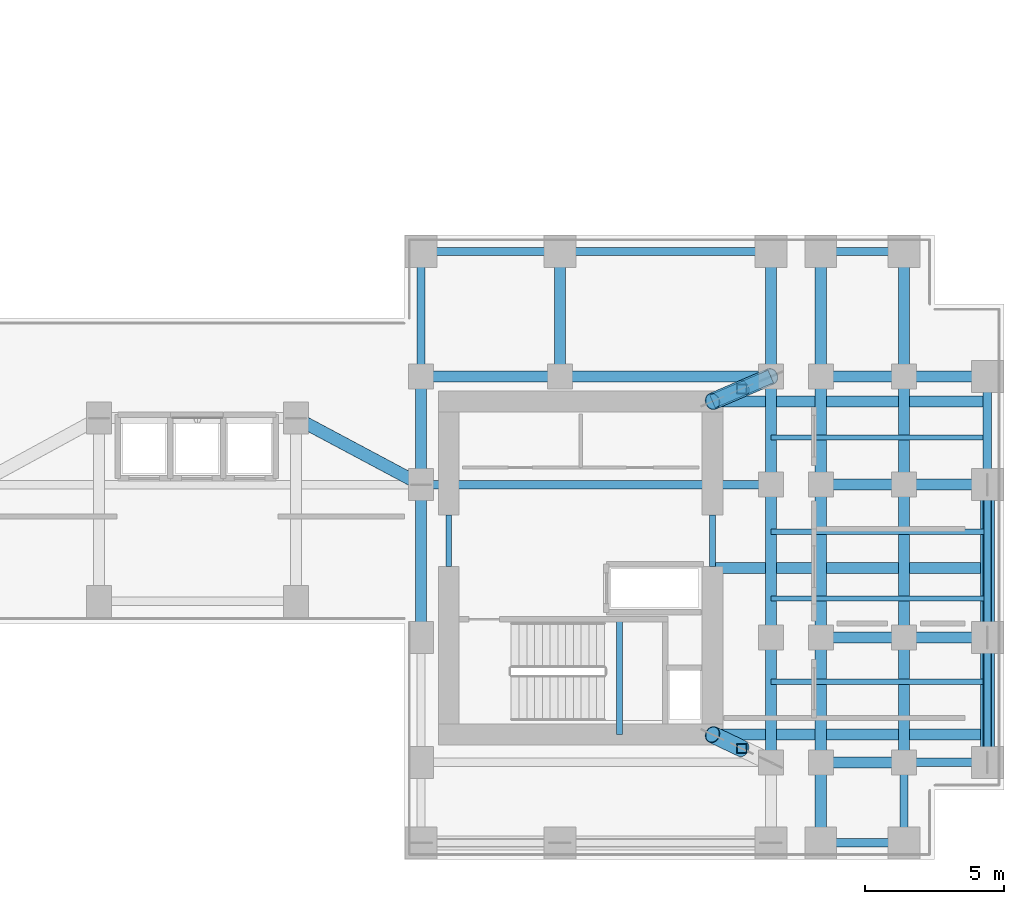
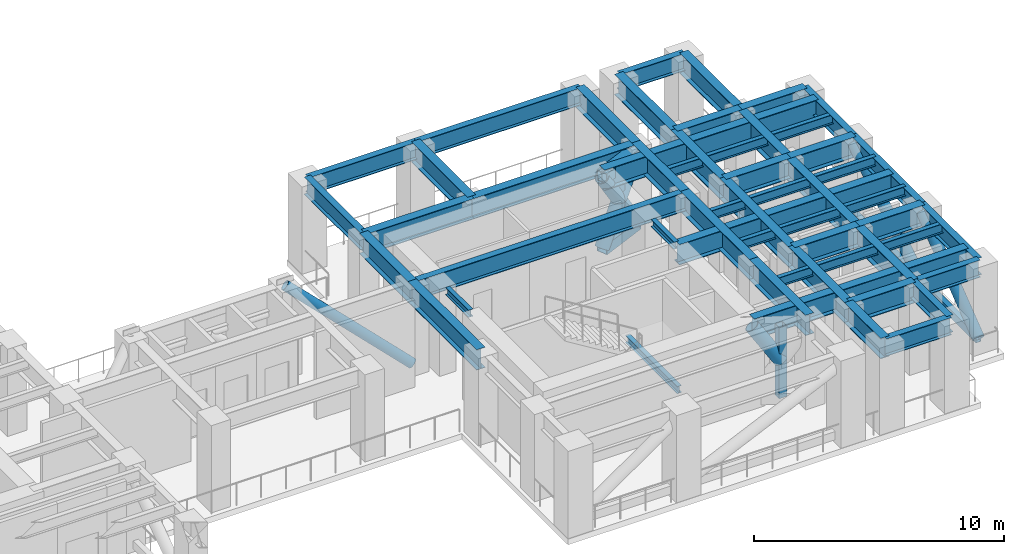
# One storey, part 6 of 16: 46 beams, 13 members.
"""IFC4 building model written with IfcOpenShell, lengths in metres."""

from ifc_helpers import new_model, si_unit, direction, frame, origin, origin_2d, place, context, subcontext, project, spatial, hollow_rectangle, hollow_circle, i_section, extrude, source, transform, mapped, material, material_profile, profile_set, type_object, element, save


model = new_model("IFC4")

# Units and contexts
model_context = context("Model", 3, precision=1e-05, world=origin(), true_north=direction((0.0, 1.0)))
body_context = subcontext(model_context, "Body", "Model", "MODEL_VIEW")
ifc_project = project(units=[si_unit("LENGTHUNIT", "METRE"), si_unit("AREAUNIT", "SQUARE_METRE"), si_unit("VOLUMEUNIT", "CUBIC_METRE"), si_unit("PLANEANGLEUNIT", "RADIAN"), si_unit("MASSUNIT", "GRAM", prefix="KILO")], contexts=[model_context])

# Site, building, storey
site_placement = place(None, origin())
site = spatial("IfcSite", under=ifc_project, at=site_placement, CompositionType="ELEMENT")
building_placement = place(site_placement, origin())
building = spatial("IfcBuilding", under=site, at=building_placement, Name="Kharzan Plaza Tower", CompositionType="ELEMENT")
storey_placement = place(building_placement, frame((0.0, 0.0, 138.60009765625)))
storey = spatial("IfcBuildingStorey", under=building, at=storey_placement, Name="L37", CompositionType="ELEMENT", Elevation=138.60009765625)

# Beams
ifc_material = material(Name="Steel S355", Category="steel")
ifc_material_profile_1 = material_profile(ifc_material, i_section(OverallWidth=0.205078125, OverallDepth=0.35400390625, WebThickness=0.009521484375, FlangeThickness=0.016845703125, at=origin_2d()), Name="W360x79")
ifc_profile_set_1 = profile_set([ifc_material_profile_1], Name="Steel S355")
beam_type_1 = type_object("IfcBeamType", Name="BM-LNT360", PredefinedType="LINTEL", material=ifc_profile_set_1)
shared_shape_1 = source(origin(), body_context, "Body", "SweptSolid", [
    extrude(i_section(OverallWidth=0.205078125, OverallDepth=0.35400390625, WebThickness=0.009521484375, FlangeThickness=0.016845703125, at=origin_2d()), origin(), (0.0, 0.0, 1.0), 1.849853515625),
])
for number, where, z_axis, x_axis, name in (
    (1, (45.5, 10.550048828125, 4.0830078125), (0.0, 1.0, 0.0), (-1.0, 0.0, 0.0), "L37 CORE-B coupling lintel LN1-WE"),
    (2, (36.0, 10.550048828125, 4.0830078125), (0.0, 1.0, 0.0), (-1.0, 0.0, 0.0), "L37 CORE-B coupling lintel LN1-WW"),
):
    element("IfcBeam", number, at=place(storey_placement, frame(where, z_axis=z_axis, x_axis=x_axis)), inside=storey, type_object=beam_type_1, Name=name, PredefinedType="LINTEL", context=body_context, shape_type="MappedRepresentation", body=[
        mapped(shared_shape_1, transform((0.0, 0.0, 0.0), x_axis=(1.0, 0.0, 0.0), y_axis=(0.0, 1.0, 0.0), z_axis=(0.0, 0.0, 1.0))),
    ])
shared_shape_2 = source(origin(), body_context, "Body", "SweptSolid", [
    extrude(i_section(OverallWidth=0.205078125, OverallDepth=0.35400390625, WebThickness=0.009521484375, FlangeThickness=0.016845703125, at=origin_2d()), origin(), (0.0, 0.0, 1.0), 4.155029296875),
])
beam_1_placement = place(storey_placement, frame((42.14990234375, 4.5, 1.872802734375), z_axis=(0.0, 1.0, 0.0), x_axis=(-1.0, 0.0, 0.0)))
element("IfcBeam", 3, at=beam_1_placement, inside=storey, type_object=beam_type_1, Name="L37 Stair ST-3 Half-Landing Beam", PredefinedType="LINTEL", context=body_context, shape_type="MappedRepresentation", body=[
    mapped(shared_shape_2, transform((0.0, 0.0, 0.0), x_axis=(1.0, 0.0, 0.0), y_axis=(0.0, 1.0, 0.0), z_axis=(0.0, 0.0, 1.0))),
])
ifc_material_profile_2 = material_profile(ifc_material, i_section(OverallWidth=0.304931640625, OverallDepth=0.9189453125, WebThickness=0.017333984375, FlangeThickness=0.02783203125, at=origin_2d()), Name="W920x253")
ifc_profile_set_2 = profile_set([ifc_material_profile_2], Name="Steel S355")
beam_type_2 = type_object("IfcBeamType", Name="BM-FG920B", PredefinedType="BEAM", material=ifc_profile_set_2)
shared_shape_3 = source(origin(), body_context, "Body", "SweptSolid", [
    extrude(i_section(OverallWidth=0.304931640625, OverallDepth=0.9189453125, WebThickness=0.017333984375, FlangeThickness=0.02783203125, at=origin_2d()), origin(), (0.0, 0.0, 1.0), 12.60009765625),
])
beam_2_placement = place(storey_placement, frame((35.0, 13.5, 3.80029296875), z_axis=(1.0, 0.0, 0.0), x_axis=(0.0, 1.0, 0.0)))
element("IfcBeam", 4, at=beam_2_placement, inside=storey, type_object=beam_type_2, Name="L37 Primary Floor Girder", PredefinedType="BEAM", context=body_context, shape_type="MappedRepresentation", body=[
    mapped(shared_shape_3, transform((0.0, 0.0, 0.0), x_axis=(1.0, 0.0, 0.0), y_axis=(0.0, 1.0, 0.0), z_axis=(0.0, 0.0, 1.0))),
])
ifc_material_profile_3 = material_profile(ifc_material, i_section(OverallWidth=0.39794921875, OverallDepth=1.0, WebThickness=0.017578125, FlangeThickness=0.02880859375, at=origin_2d()), Name="W1000x321")
ifc_profile_set_3 = profile_set([ifc_material_profile_3], Name="Steel S355")
beam_type_3 = type_object("IfcBeamType", Name="BM-PG1000B", PredefinedType="BEAM", material=ifc_profile_set_3)
shared_shape_4 = source(origin(), body_context, "Body", "SweptSolid", [
    extrude(i_section(OverallWidth=0.39794921875, OverallDepth=1.0, WebThickness=0.017578125, FlangeThickness=0.02880859375, at=origin_2d()), origin(), (0.0, 0.0, 1.0), 4.5),
])
for number, where, z_axis, x_axis, name in (
    (5, (40.0, 17.39990234375, 3.760009765625), (0.0, 1.0, 0.0), (-1.0, 0.0, 0.0), "L37 Interior Frame Girder"),
    (6, (47.60009765625, 3.5, 3.760009765625), (0.0, 1.0, 0.0), (-1.0, 0.0, 0.0), "L37 Interior Frame Girder"),
    (7, (47.60009765625, 17.39990234375, 3.760009765625), (0.0, 1.0, 0.0), (-1.0, 0.0, 0.0), "L37 Interior Frame Girder"),
    (8, (49.39990234375, 3.5, 3.760009765625), (0.0, 1.0, 0.0), (-1.0, 0.0, 0.0), "L37 Interior Frame Girder"),
    (9, (49.39990234375, 17.39990234375, 3.760009765625), (0.0, 1.0, 0.0), (-1.0, 0.0, 0.0), "L37 Interior Frame Girder"),
    (10, (52.39990234375, 3.5, 3.760009765625), (0.0, 1.0, 0.0), (-1.0, 0.0, 0.0), "L37 Interior Frame Girder"),
    (11, (52.39990234375, 17.39990234375, 3.760009765625), (0.0, 1.0, 0.0), (-1.0, 0.0, 0.0), "L37 Interior Frame Girder"),
):
    element("IfcBeam", number, at=place(storey_placement, frame(where, z_axis=z_axis, x_axis=x_axis)), inside=storey, type_object=beam_type_3, Name=name, PredefinedType="BEAM", context=body_context, shape_type="MappedRepresentation", body=[
        mapped(shared_shape_4, transform((0.0, 0.0, 0.0), x_axis=(1.0, 0.0, 0.0), y_axis=(0.0, 1.0, 0.0), z_axis=(0.0, 0.0, 1.0))),
    ])
shared_shape_5 = source(origin(), body_context, "Body", "SweptSolid", [
    extrude(i_section(OverallWidth=0.39794921875, OverallDepth=1.0, WebThickness=0.017578125, FlangeThickness=0.02880859375, at=origin_2d()), origin(), (0.0, 0.0, 1.0), 3.89990234375),
])
for number, where, z_axis, x_axis, name in (
    (12, (35.0, 13.5, 3.760009765625), (0.0, 1.0, 0.0), (-1.0, 0.0, 0.0), "L37 Interior Frame Girder"),
    (13, (47.60009765625, 13.5, 3.760009765625), (0.0, 1.0, 0.0), (-1.0, 0.0, 0.0), "L37 Interior Frame Girder"),
    (14, (49.39990234375, 13.5, 3.760009765625), (0.0, 1.0, 0.0), (-1.0, 0.0, 0.0), "L37 Interior Frame Girder"),
    (15, (52.39990234375, 13.5, 3.760009765625), (0.0, 1.0, 0.0), (-1.0, 0.0, 0.0), "L37 Interior Frame Girder"),
):
    element("IfcBeam", number, at=place(storey_placement, frame(where, z_axis=z_axis, x_axis=x_axis)), inside=storey, type_object=beam_type_3, Name=name, PredefinedType="BEAM", context=body_context, shape_type="MappedRepresentation", body=[
        mapped(shared_shape_5, transform((0.0, 0.0, 0.0), x_axis=(1.0, 0.0, 0.0), y_axis=(0.0, 1.0, 0.0), z_axis=(0.0, 0.0, 1.0))),
    ])
shared_shape_6 = source(origin(), body_context, "Body", "SweptSolid", [
    extrude(i_section(OverallWidth=0.39794921875, OverallDepth=1.0, WebThickness=0.017578125, FlangeThickness=0.02880859375, at=origin_2d()), origin(), (0.0, 0.0, 1.0), 5.0),
])
beam_3_placement = place(storey_placement, frame((35.0, 17.39990234375, 3.760009765625), z_axis=(1.0, 0.0, 0.0), x_axis=(0.0, 1.0, 0.0)))
element("IfcBeam", 16, at=beam_3_placement, inside=storey, type_object=beam_type_3, Name="L37 Primary Floor Girder", PredefinedType="BEAM", context=body_context, shape_type="MappedRepresentation", body=[
    mapped(shared_shape_6, transform((0.0, 0.0, 0.0), x_axis=(1.0, 0.0, 0.0), y_axis=(0.0, 1.0, 0.0), z_axis=(0.0, 0.0, 1.0))),
])
shared_shape_7 = source(origin(), body_context, "Body", "SweptSolid", [
    extrude(i_section(OverallWidth=0.39794921875, OverallDepth=1.0, WebThickness=0.017578125, FlangeThickness=0.02880859375, at=origin_2d()), origin(), (0.0, 0.0, 1.0), 5.5),
])
for number, where, z_axis, x_axis, name in (
    (17, (35.0, 8.0, 3.760009765625), (0.0, 1.0, 0.0), (-1.0, 0.0, 0.0), "L37 Interior Frame Girder"),
    (18, (47.60009765625, 8.0, 3.760009765625), (0.0, 1.0, 0.0), (-1.0, 0.0, 0.0), "L37 Interior Frame Girder"),
    (19, (49.39990234375, 8.0, 3.760009765625), (0.0, 1.0, 0.0), (-1.0, 0.0, 0.0), "L37 Interior Frame Girder"),
    (20, (52.39990234375, 8.0, 3.760009765625), (0.0, 1.0, 0.0), (-1.0, 0.0, 0.0), "L37 Interior Frame Girder"),
):
    element("IfcBeam", number, at=place(storey_placement, frame(where, z_axis=z_axis, x_axis=x_axis)), inside=storey, type_object=beam_type_3, Name=name, PredefinedType="BEAM", context=body_context, shape_type="MappedRepresentation", body=[
        mapped(shared_shape_7, transform((0.0, 0.0, 0.0), x_axis=(1.0, 0.0, 0.0), y_axis=(0.0, 1.0, 0.0), z_axis=(0.0, 0.0, 1.0))),
    ])
shared_shape_8 = source(origin(), body_context, "Body", "SweptSolid", [
    extrude(i_section(OverallWidth=0.39794921875, OverallDepth=1.0, WebThickness=0.017578125, FlangeThickness=0.02880859375, at=origin_2d()), origin(), (0.0, 0.0, 1.0), 2.89990234375),
])
beam_4_placement = place(storey_placement, frame((49.39990234375, 0.60009765625, 3.760009765625), z_axis=(0.0, 1.0, 0.0), x_axis=(-1.0, 0.0, 0.0)))
element("IfcBeam", 21, at=beam_4_placement, inside=storey, type_object=beam_type_3, Name="L37 Interior Frame Girder", PredefinedType="BEAM", context=body_context, shape_type="MappedRepresentation", body=[
    mapped(shared_shape_8, transform((0.0, 0.0, 0.0), x_axis=(1.0, 0.0, 0.0), y_axis=(0.0, 1.0, 0.0), z_axis=(0.0, 0.0, 1.0))),
])
shared_shape_9 = source(origin(), body_context, "Body", "SweptSolid", [
    extrude(i_section(OverallWidth=0.39794921875, OverallDepth=1.0, WebThickness=0.017578125, FlangeThickness=0.02880859375, at=origin_2d()), origin(), (0.0, 0.0, 1.0), 3.0),
])
for number, where, z_axis, x_axis, name in (
    (22, (49.39990234375, 3.5, 3.760009765625), (1.0, 0.0, 0.0), (0.0, 1.0, 0.0), "L37 Primary Floor Girder"),
    (23, (49.39990234375, 8.0, 3.760009765625), (1.0, 0.0, 0.0), (0.0, 1.0, 0.0), "L37 Primary Floor Girder"),
    (24, (52.39990234375, 8.0, 3.760009765625), (1.0, 0.0, 0.0), (0.0, 1.0, 0.0), "L37 Primary Floor Girder"),
    (25, (49.39990234375, 13.5, 3.760009765625), (1.0, 0.0, 0.0), (0.0, 1.0, 0.0), "L37 Primary Floor Girder"),
    (26, (52.39990234375, 13.5, 3.760009765625), (1.0, 0.0, 0.0), (0.0, 1.0, 0.0), "L37 Primary Floor Girder"),
    (27, (49.39990234375, 17.39990234375, 3.760009765625), (1.0, 0.0, 0.0), (0.0, 1.0, 0.0), "L37 Primary Floor Girder"),
    (28, (52.39990234375, 17.39990234375, 3.760009765625), (1.0, 0.0, 0.0), (0.0, 1.0, 0.0), "L37 Primary Floor Girder"),
):
    element("IfcBeam", number, at=place(storey_placement, frame(where, z_axis=z_axis, x_axis=x_axis)), inside=storey, type_object=beam_type_3, Name=name, PredefinedType="BEAM", context=body_context, shape_type="MappedRepresentation", body=[
        mapped(shared_shape_9, transform((0.0, 0.0, 0.0), x_axis=(1.0, 0.0, 0.0), y_axis=(0.0, 1.0, 0.0), z_axis=(0.0, 0.0, 1.0))),
    ])
shared_shape_10 = source(origin(), body_context, "Body", "SweptSolid", [
    extrude(i_section(OverallWidth=0.39794921875, OverallDepth=1.0, WebThickness=0.017578125, FlangeThickness=0.02880859375, at=origin_2d()), origin(), (0.0, 0.0, 1.0), 7.60009765625),
])
beam_5_placement = place(storey_placement, frame((40.0, 17.39990234375, 3.760009765625), z_axis=(1.0, 0.0, 0.0), x_axis=(0.0, 1.0, 0.0)))
element("IfcBeam", 29, at=beam_5_placement, inside=storey, type_object=beam_type_3, Name="L37 Primary Floor Girder", PredefinedType="BEAM", context=body_context, shape_type="MappedRepresentation", body=[
    mapped(shared_shape_10, transform((0.0, 0.0, 0.0), x_axis=(1.0, 0.0, 0.0), y_axis=(0.0, 1.0, 0.0), z_axis=(0.0, 0.0, 1.0))),
])

# Members
ifc_material_profile_4 = material_profile(ifc_material, hollow_rectangle(XDim=0.25, YDim=0.39990234375, WallThickness=0.01611328125, at=origin_2d()), Name="RHS400x250x16")
ifc_profile_set_4 = profile_set([ifc_material_profile_4], Name="Steel S355")
member_type_1 = type_object("IfcMemberType", Name="MEM-BT-CHORD", PredefinedType="CHORD", material=ifc_profile_set_4)
shared_shape_11 = source(origin(), body_context, "Body", "SweptSolid", [
    extrude(hollow_rectangle(XDim=0.25, YDim=0.39990234375, WallThickness=0.01611328125, at=origin_2d()), origin(), (0.0, 0.0, 1.0), 4.5),
])
member_1_placement = place(storey_placement, frame((55.39990234375, 3.5, 0.349853515625), z_axis=(0.0, 1.0, 0.0), x_axis=(-1.0, 0.0, 0.0)))
element("IfcMember", 30, at=member_1_placement, inside=storey, type_object=member_type_1, Name="L37 Belt Truss Bottom Chord BTE-1", PredefinedType="CHORD", context=body_context, shape_type="MappedRepresentation", body=[
    mapped(shared_shape_11, transform((0.0, 0.0, 0.0), x_axis=(1.0, 0.0, 0.0), y_axis=(0.0, 1.0, 0.0), z_axis=(0.0, 0.0, 1.0))),
])
shared_shape_12 = source(origin(), body_context, "Body", "SweptSolid", [
    extrude(hollow_rectangle(XDim=0.25, YDim=0.39990234375, WallThickness=0.01611328125, at=origin_2d()), origin(), (0.0, 0.0, 1.0), 5.5),
])
member_2_placement = place(storey_placement, frame((55.39990234375, 8.0, 0.349853515625), z_axis=(0.0, 1.0, 0.0), x_axis=(-1.0, 0.0, 0.0)))
element("IfcMember", 31, at=member_2_placement, inside=storey, type_object=member_type_1, Name="L37 Belt Truss Bottom Chord BTE-2", PredefinedType="CHORD", context=body_context, shape_type="MappedRepresentation", body=[
    mapped(shared_shape_12, transform((0.0, 0.0, 0.0), x_axis=(1.0, 0.0, 0.0), y_axis=(0.0, 1.0, 0.0), z_axis=(0.0, 0.0, 1.0))),
])
ifc_material_profile_5 = material_profile(ifc_material, hollow_circle(Radius=0.25390625, WallThickness=0.02001953125, at=origin_2d()), Name="CHS508x20")
ifc_profile_set_5 = profile_set([ifc_material_profile_5], Name="Steel S355")
member_type_2 = type_object("IfcMemberType", Name="MEM-BT-DIAG", PredefinedType="BRACE", material=ifc_profile_set_5)
shared_shape_13 = source(origin(), body_context, "Body", "SweptSolid", [
    extrude(hollow_circle(Radius=0.25390625, WallThickness=0.02001953125, at=origin_2d()), origin(), (0.0, 0.0, 1.0), 5.67626953125),
])
member_3_placement = place(storey_placement, frame((55.39990234375, 3.5, 0.349853515625), z_axis=(0.0, 0.792758275848, 0.609536148292), x_axis=(-1.0, 0.0, 0.0)))
element("IfcMember", 32, at=member_3_placement, inside=storey, type_object=member_type_2, Name="L37 Belt Truss Diagonal BTE-1", PredefinedType="BRACE", context=body_context, shape_type="MappedRepresentation", body=[
    mapped(shared_shape_13, transform((0.0, 0.0, 0.0), x_axis=(1.0, 0.0, 0.0), y_axis=(0.0, 1.0, 0.0), z_axis=(0.0, 0.0, 1.0))),
])
shared_shape_14 = source(origin(), body_context, "Body", "SweptSolid", [
    extrude(hollow_circle(Radius=0.25390625, WallThickness=0.02001953125, at=origin_2d()), origin(), (0.0, 0.0, 1.0), 6.497802734375),
])
member_4_placement = place(storey_placement, frame((55.39990234375, 8.0, 0.349853515625), z_axis=(0.0, 0.846441086953, 0.532482381228), x_axis=(-1.0, 0.0, 0.0)))
element("IfcMember", 33, at=member_4_placement, inside=storey, type_object=member_type_2, Name="L37 Belt Truss Diagonal BTE-2", PredefinedType="BRACE", context=body_context, shape_type="MappedRepresentation", body=[
    mapped(shared_shape_14, transform((0.0, 0.0, 0.0), x_axis=(1.0, 0.0, 0.0), y_axis=(0.0, 1.0, 0.0), z_axis=(0.0, 0.0, 1.0))),
])
ifc_material_profile_6 = material_profile(ifc_material, hollow_rectangle(XDim=0.5, YDim=0.5, WallThickness=0.02490234375, at=origin_2d()), Name="SHS500x500x25")
ifc_profile_set_6 = profile_set([ifc_material_profile_6], Name="Steel S355")
member_type_3 = type_object("IfcMemberType", Name="MEM-OT-CHORD", PredefinedType="CHORD", material=ifc_profile_set_6)
shared_shape_15 = source(origin(), body_context, "Body", "SweptSolid", [
    extrude(hollow_rectangle(XDim=0.5, YDim=0.5, WallThickness=0.02490234375, at=origin_2d()), origin(), (0.0, 0.0, 1.0), 2.28466796875),
])
for number, where, z_axis, x_axis, name in (
    (34, (45.5, 16.5, 0.349853515625), (0.919167136512, 0.393867712762, 0.0), (-0.393867712762, 0.919167136512, 0.0), "L37 Outrigger Truss Bottom Chord OTB-E2"),
    (35, (45.5, 16.5, 3.809814453125), (0.919167136512, 0.393867712762, 0.0), (-0.393867712762, 0.919167136512, 0.0), "L37 Outrigger Truss Top Chord OTB-E2"),
):
    element("IfcMember", number, at=place(storey_placement, frame(where, z_axis=z_axis, x_axis=x_axis)), inside=storey, type_object=member_type_3, Name=name, PredefinedType="CHORD", context=body_context, shape_type="MappedRepresentation", body=[
        mapped(shared_shape_15, transform((0.0, 0.0, 0.0), x_axis=(1.0, 0.0, 0.0), y_axis=(0.0, 1.0, 0.0), z_axis=(0.0, 0.0, 1.0))),
    ])
ifc_material_profile_7 = material_profile(ifc_material, hollow_circle(Radius=0.304931640625, WallThickness=0.02490234375, at=origin_2d()), Name="CHS610x25")
ifc_profile_set_7 = profile_set([ifc_material_profile_7], Name="Steel S355")
member_type_4 = type_object("IfcMemberType", Name="MEM-OT-DIAG", PredefinedType="BRACE", material=ifc_profile_set_7)
shared_shape_16 = source(origin(), body_context, "Body", "SweptSolid", [
    extrude(hollow_circle(Radius=0.304931640625, WallThickness=0.02490234375, at=origin_2d()), origin(), (0.0, 0.0, 1.0), 2.08447265625),
])
member_5_placement = place(storey_placement, frame((45.5, 4.5, 3.809814453125), z_axis=(0.503724259824, -0.239857541065, -0.829897722649), x_axis=(0.429917283348, 0.902868279141, 0.0)))
element("IfcMember", 36, at=member_5_placement, inside=storey, type_object=member_type_4, Name="L37 Outrigger Truss Split Diagonal OTB-E1-2A", PredefinedType="BRACE", context=body_context, shape_type="MappedRepresentation", body=[
    mapped(shared_shape_16, transform((0.0, 0.0, 0.0), x_axis=(1.0, 0.0, 0.0), y_axis=(0.0, 1.0, 0.0), z_axis=(0.0, 0.0, 1.0))),
])
shared_shape_17 = source(origin(), body_context, "Body", "SweptSolid", [
    extrude(hollow_circle(Radius=0.304931640625, WallThickness=0.02490234375, at=origin_2d()), origin(), (0.0, 0.0, 1.0), 4.146240234375),
])
member_6_placement = place(storey_placement, frame((45.5, 16.5, 0.349853515625), z_axis=(0.506502735263, 0.217038953985, 0.834475327151), x_axis=(-0.393867712762, 0.919167136512, 0.0)))
element("IfcMember", 37, at=member_6_placement, inside=storey, type_object=member_type_4, Name="L37 Outrigger Truss Diagonal OTB-E2-1", PredefinedType="BRACE", context=body_context, shape_type="MappedRepresentation", body=[
    mapped(shared_shape_17, transform((0.0, 0.0, 0.0), x_axis=(1.0, 0.0, 0.0), y_axis=(0.0, 1.0, 0.0), z_axis=(0.0, 0.0, 1.0))),
])
shared_shape_18 = source(origin(), body_context, "Body", "SweptSolid", [
    extrude(hollow_circle(Radius=0.304931640625, WallThickness=0.02490234375, at=origin_2d()), origin(), (0.0, 0.0, 1.0), 2.0732421875),
])
for number, where, z_axis, x_axis, name in (
    (38, (45.5, 16.5, 3.809814453125), (0.506502735263, 0.217038953985, -0.834475327151), (-0.393867712762, 0.919167136512, 0.0), "L37 Outrigger Truss Split Diagonal OTB-E2-2A"),
    (39, (46.550048828125, 16.949951171875, 2.079833984375), (0.506502735263, 0.217038953985, -0.834475327151), (-0.393867712762, 0.919167136512, 0.0), "L37 Outrigger Truss Split Diagonal OTB-E2-2B"),
):
    element("IfcMember", number, at=place(storey_placement, frame(where, z_axis=z_axis, x_axis=x_axis)), inside=storey, type_object=member_type_4, Name=name, PredefinedType="BRACE", context=body_context, shape_type="MappedRepresentation", body=[
        mapped(shared_shape_18, transform((0.0, 0.0, 0.0), x_axis=(1.0, 0.0, 0.0), y_axis=(0.0, 1.0, 0.0), z_axis=(0.0, 0.0, 1.0))),
    ])
ifc_material_profile_8 = material_profile(ifc_material, hollow_rectangle(XDim=0.35009765625, YDim=0.35009765625, WallThickness=0.01611328125, at=origin_2d()), Name="SHS350x350x16")
ifc_profile_set_8 = profile_set([ifc_material_profile_8], Name="Steel S355")
member_type_5 = type_object("IfcMemberType", Name="MEM-OT-POST", PredefinedType="POST", material=ifc_profile_set_8)
shared_shape_19 = source(origin(), body_context, "Body", "SweptSolid", [
    extrude(hollow_rectangle(XDim=0.35009765625, YDim=0.35009765625, WallThickness=0.01611328125, at=origin_2d()), origin(), (0.0, 0.0, 1.0), 3.4599609375),
])
for number, where, z_axis, x_axis, name in (
    (40, (46.550048828125, 4.0, 0.349853515625), (0.0, 0.0, 1.0), (1.0, 0.0, 0.0), "L37 Outrigger Truss Web Post OTB-E1"),
    (41, (46.550048828125, 16.949951171875, 0.349853515625), (0.0, 0.0, 1.0), (1.0, 0.0, 0.0), "L37 Outrigger Truss Web Post OTB-E2"),
):
    element("IfcMember", number, at=place(storey_placement, frame(where, z_axis=z_axis, x_axis=x_axis)), inside=storey, type_object=member_type_5, Name=name, PredefinedType="POST", context=body_context, shape_type="MappedRepresentation", body=[
        mapped(shared_shape_19, transform((0.0, 0.0, 0.0), x_axis=(1.0, 0.0, 0.0), y_axis=(0.0, 1.0, 0.0), z_axis=(0.0, 0.0, 1.0))),
    ])
ifc_material_profile_9 = material_profile(ifc_material, hollow_circle(Radius=0.228515625, WallThickness=0.01611328125, at=origin_2d()), Name="CHS457x16")
ifc_profile_set_9 = profile_set([ifc_material_profile_9], Name="Steel S355")
member_type_6 = type_object("IfcMemberType", Name="MEM-WP-STRUT", PredefinedType="STRUT", material=ifc_profile_set_9)
shared_shape_20 = source(origin(), body_context, "Body", "SweptSolid", [
    extrude(hollow_circle(Radius=0.228515625, WallThickness=0.01611328125, at=origin_2d()), origin(), (0.0, 0.0, 1.0), 6.444580078125),
])
member_7_placement = place(storey_placement, frame((35.0, 13.5, 0.199951171875), z_axis=(-0.698260685538, 0.372390545727, 0.611356930513), x_axis=(-0.470573327259, -0.882360891967, 0.0)))
element("IfcMember", 42, at=member_7_placement, inside=storey, type_object=member_type_6, Name="L37 Wind Portal Frame V-Strut East", PredefinedType="STRUT", context=body_context, shape_type="MappedRepresentation", body=[
    mapped(shared_shape_20, transform((0.0, 0.0, 0.0), x_axis=(1.0, 0.0, 0.0), y_axis=(0.0, 1.0, 0.0), z_axis=(0.0, 0.0, 1.0))),
])

# Beams
ifc_material_profile_10 = material_profile(ifc_material, i_section(OverallWidth=0.194091796875, OverallDepth=0.468994140625, WebThickness=0.011474609375, FlangeThickness=0.0205078125, at=origin_2d()), Name="W460x106")
ifc_profile_set_10 = profile_set([ifc_material_profile_10], Name="Steel S355")
beam_type_4 = type_object("IfcBeamType", Name="BM-JST460", PredefinedType="JOIST", material=ifc_profile_set_10)
shared_shape_21 = source(origin(), body_context, "Body", "SweptSolid", [
    extrude(i_section(OverallWidth=0.194091796875, OverallDepth=0.468994140625, WebThickness=0.011474609375, FlangeThickness=0.0205078125, at=origin_2d()), origin(), (0.0, 0.0, 1.0), 7.7998046875),
])
for number, where, z_axis, x_axis, name in (
    (43, (47.60009765625, 6.39990234375, 4.025390625), (1.0, 0.0, 0.0), (0.0, 1.0, 0.0), "L37 Wing B Composite Joist 02"),
    (44, (47.60009765625, 9.39990234375, 4.025390625), (1.0, 0.0, 0.0), (0.0, 1.0, 0.0), "L37 Wing B Composite Joist 03"),
    (45, (47.60009765625, 11.800048828125, 4.025390625), (1.0, 0.0, 0.0), (0.0, 1.0, 0.0), "L37 Wing B Composite Joist 04"),
    (46, (47.60009765625, 15.199951171875, 4.025390625), (1.0, 0.0, 0.0), (0.0, 1.0, 0.0), "L37 Wing B Composite Joist 05"),
):
    element("IfcBeam", number, at=place(storey_placement, frame(where, z_axis=z_axis, x_axis=x_axis)), inside=storey, type_object=beam_type_4, Name=name, PredefinedType="JOIST", context=body_context, shape_type="MappedRepresentation", body=[
        mapped(shared_shape_21, transform((0.0, 0.0, 0.0), x_axis=(1.0, 0.0, 0.0), y_axis=(0.0, 1.0, 0.0), z_axis=(0.0, 0.0, 1.0))),
    ])
ifc_material_profile_11 = material_profile(ifc_material, i_section(OverallWidth=0.299072265625, OverallDepth=0.845947265625, WebThickness=0.015380859375, FlangeThickness=0.0244140625, at=origin_2d()), Name="W840x210")
ifc_profile_set_11 = profile_set([ifc_material_profile_11], Name="Steel S355")
beam_type_5 = type_object("IfcBeamType", Name="BM-SP840B", PredefinedType="SPANDREL", material=ifc_profile_set_11)
shared_shape_22 = source(origin(), body_context, "Body", "SweptSolid", [
    extrude(i_section(OverallWidth=0.299072265625, OverallDepth=0.845947265625, WebThickness=0.015380859375, FlangeThickness=0.0244140625, at=origin_2d()), origin(), (0.0, 0.0, 1.0), 5.0),
])
beam_6_placement = place(storey_placement, frame((35.0, 21.89990234375, 3.8369140625), z_axis=(1.0, 0.0, 0.0), x_axis=(0.0, 1.0, 0.0)))
element("IfcBeam", 47, at=beam_6_placement, inside=storey, type_object=beam_type_5, Name="L37 Perimeter Tube Spandrel", PredefinedType="SPANDREL", context=body_context, shape_type="MappedRepresentation", body=[
    mapped(shared_shape_22, transform((0.0, 0.0, 0.0), x_axis=(1.0, 0.0, 0.0), y_axis=(0.0, 1.0, 0.0), z_axis=(0.0, 0.0, 1.0))),
])
shared_shape_23 = source(origin(), body_context, "Body", "SweptSolid", [
    extrude(i_section(OverallWidth=0.299072265625, OverallDepth=0.845947265625, WebThickness=0.015380859375, FlangeThickness=0.0244140625, at=origin_2d()), origin(), (0.0, 0.0, 1.0), 4.5),
])
for number, where, z_axis, x_axis, name in (
    (48, (35.0, 17.39990234375, 3.8369140625), (0.0, 1.0, 0.0), (-1.0, 0.0, 0.0), "L37 Perimeter Tube Spandrel"),
    (49, (55.39990234375, 3.5, 3.8369140625), (0.0, 1.0, 0.0), (-1.0, 0.0, 0.0), "L37 Perimeter Tube Spandrel"),
):
    element("IfcBeam", number, at=place(storey_placement, frame(where, z_axis=z_axis, x_axis=x_axis)), inside=storey, type_object=beam_type_5, Name=name, PredefinedType="SPANDREL", context=body_context, shape_type="MappedRepresentation", body=[
        mapped(shared_shape_23, transform((0.0, 0.0, 0.0), x_axis=(1.0, 0.0, 0.0), y_axis=(0.0, 1.0, 0.0), z_axis=(0.0, 0.0, 1.0))),
    ])
shared_shape_24 = source(origin(), body_context, "Body", "SweptSolid", [
    extrude(i_section(OverallWidth=0.299072265625, OverallDepth=0.845947265625, WebThickness=0.015380859375, FlangeThickness=0.0244140625, at=origin_2d()), origin(), (0.0, 0.0, 1.0), 2.89990234375),
])
beam_7_placement = place(storey_placement, frame((52.39990234375, 0.60009765625, 3.8369140625), z_axis=(0.0, 1.0, 0.0), x_axis=(-1.0, 0.0, 0.0)))
element("IfcBeam", 50, at=beam_7_placement, inside=storey, type_object=beam_type_5, Name="L37 Perimeter Tube Spandrel", PredefinedType="SPANDREL", context=body_context, shape_type="MappedRepresentation", body=[
    mapped(shared_shape_24, transform((0.0, 0.0, 0.0), x_axis=(1.0, 0.0, 0.0), y_axis=(0.0, 1.0, 0.0), z_axis=(0.0, 0.0, 1.0))),
])
shared_shape_25 = source(origin(), body_context, "Body", "SweptSolid", [
    extrude(i_section(OverallWidth=0.299072265625, OverallDepth=0.845947265625, WebThickness=0.015380859375, FlangeThickness=0.0244140625, at=origin_2d()), origin(), (0.0, 0.0, 1.0), 5.5),
])
beam_8_placement = place(storey_placement, frame((55.39990234375, 8.0, 3.8369140625), z_axis=(0.0, 1.0, 0.0), x_axis=(-1.0, 0.0, 0.0)))
element("IfcBeam", 51, at=beam_8_placement, inside=storey, type_object=beam_type_5, Name="L37 Perimeter Tube Spandrel", PredefinedType="SPANDREL", context=body_context, shape_type="MappedRepresentation", body=[
    mapped(shared_shape_25, transform((0.0, 0.0, 0.0), x_axis=(1.0, 0.0, 0.0), y_axis=(0.0, 1.0, 0.0), z_axis=(0.0, 0.0, 1.0))),
])
shared_shape_26 = source(origin(), body_context, "Body", "SweptSolid", [
    extrude(i_section(OverallWidth=0.299072265625, OverallDepth=0.845947265625, WebThickness=0.015380859375, FlangeThickness=0.0244140625, at=origin_2d()), origin(), (0.0, 0.0, 1.0), 3.89990234375),
])
beam_9_placement = place(storey_placement, frame((55.39990234375, 13.5, 3.8369140625), z_axis=(0.0, 1.0, 0.0), x_axis=(-1.0, 0.0, 0.0)))
element("IfcBeam", 52, at=beam_9_placement, inside=storey, type_object=beam_type_5, Name="L37 Perimeter Tube Spandrel", PredefinedType="SPANDREL", context=body_context, shape_type="MappedRepresentation", body=[
    mapped(shared_shape_26, transform((0.0, 0.0, 0.0), x_axis=(1.0, 0.0, 0.0), y_axis=(0.0, 1.0, 0.0), z_axis=(0.0, 0.0, 1.0))),
])
shared_shape_27 = source(origin(), body_context, "Body", "SweptSolid", [
    extrude(i_section(OverallWidth=0.299072265625, OverallDepth=0.845947265625, WebThickness=0.015380859375, FlangeThickness=0.0244140625, at=origin_2d()), origin(), (0.0, 0.0, 1.0), 7.60009765625),
])
beam_10_placement = place(storey_placement, frame((40.0, 21.89990234375, 3.8369140625), z_axis=(1.0, 0.0, 0.0), x_axis=(0.0, 1.0, 0.0)))
element("IfcBeam", 53, at=beam_10_placement, inside=storey, type_object=beam_type_5, Name="L37 Perimeter Tube Spandrel", PredefinedType="SPANDREL", context=body_context, shape_type="MappedRepresentation", body=[
    mapped(shared_shape_27, transform((0.0, 0.0, 0.0), x_axis=(1.0, 0.0, 0.0), y_axis=(0.0, 1.0, 0.0), z_axis=(0.0, 0.0, 1.0))),
])
shared_shape_28 = source(origin(), body_context, "Body", "SweptSolid", [
    extrude(i_section(OverallWidth=0.299072265625, OverallDepth=0.845947265625, WebThickness=0.015380859375, FlangeThickness=0.0244140625, at=origin_2d()), origin(), (0.0, 0.0, 1.0), 3.0),
])
for number, where, z_axis, x_axis, name in (
    (54, (49.39990234375, 0.60009765625, 3.8369140625), (1.0, 0.0, 0.0), (0.0, 1.0, 0.0), "L37 Perimeter Tube Spandrel"),
    (55, (52.39990234375, 3.5, 3.8369140625), (1.0, 0.0, 0.0), (0.0, 1.0, 0.0), "L37 Perimeter Tube Spandrel"),
    (56, (49.39990234375, 21.89990234375, 3.8369140625), (1.0, 0.0, 0.0), (0.0, 1.0, 0.0), "L37 Perimeter Tube Spandrel"),
):
    element("IfcBeam", number, at=place(storey_placement, frame(where, z_axis=z_axis, x_axis=x_axis)), inside=storey, type_object=beam_type_5, Name=name, PredefinedType="SPANDREL", context=body_context, shape_type="MappedRepresentation", body=[
        mapped(shared_shape_28, transform((0.0, 0.0, 0.0), x_axis=(1.0, 0.0, 0.0), y_axis=(0.0, 1.0, 0.0), z_axis=(0.0, 0.0, 1.0))),
    ])
shared_shape_29 = source(origin(), body_context, "Body", "SweptSolid", [
    extrude(i_section(OverallWidth=0.39794921875, OverallDepth=1.0, WebThickness=0.017578125, FlangeThickness=0.02880859375, at=origin_2d()), origin(), (0.0, 0.0, 1.0), 9.89990234375),
])
for number, where, z_axis, x_axis, name in (
    (57, (45.5, 4.5, 3.760009765625), (1.0, 0.0, 0.0), (0.0, 1.0, 0.0), "L37 Core-B East Floor Girder 1"),
    (58, (45.5, 10.5, 3.760009765625), (1.0, 0.0, 0.0), (0.0, 1.0, 0.0), "L37 Core-B East Floor Girder 2"),
    (59, (45.5, 16.5, 3.760009765625), (1.0, 0.0, 0.0), (0.0, 1.0, 0.0), "L37 Core-B East Floor Girder 3"),
):
    element("IfcBeam", number, at=place(storey_placement, frame(where, z_axis=z_axis, x_axis=x_axis)), inside=storey, type_object=beam_type_3, Name=name, PredefinedType="BEAM", context=body_context, shape_type="MappedRepresentation", body=[
        mapped(shared_shape_29, transform((0.0, 0.0, 0.0), x_axis=(1.0, 0.0, 0.0), y_axis=(0.0, 1.0, 0.0), z_axis=(0.0, 0.0, 1.0))),
    ])

save(model, "model.ifc")
